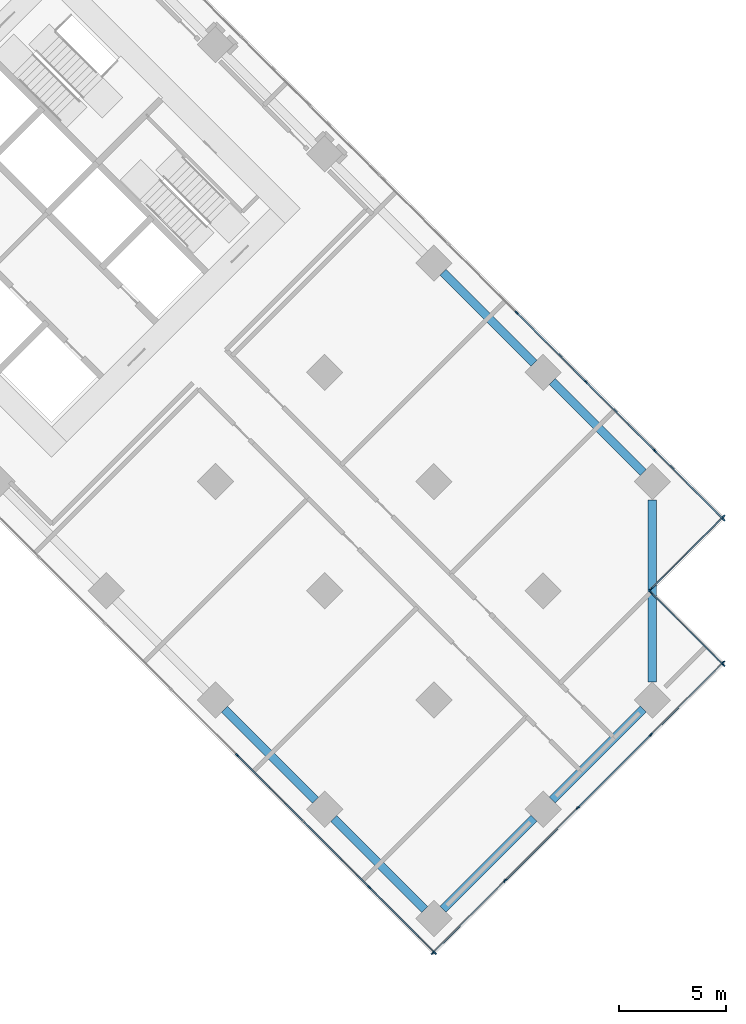
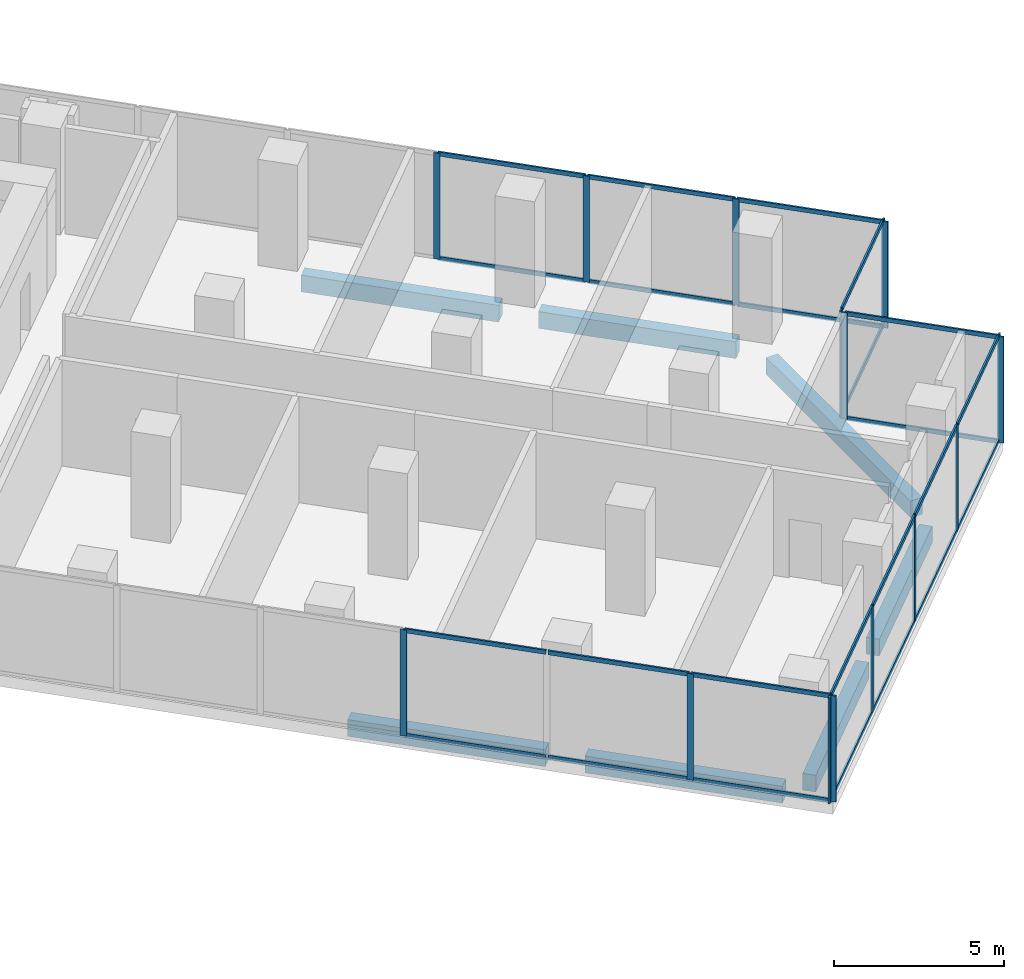
# One storey, part 11 of 27: 40 members, 7 beams, 5 elements without a shape of their own.
"""IFC4 building model written with IfcOpenShell, lengths in metres."""

from ifc_helpers import new_model, si_unit, direction, frame, origin, origin_2d, place, context, subcontext, project, spatial, rectangle, extrude, material, material_profile, profile_set, type_object, element, aggregate, save


model = new_model("IFC4")

# Units and contexts
model_context = context("Model", 3, precision=1e-05, world=origin(), true_north=direction((0.0, 1.0)))
body_context = subcontext(model_context, "Body", "Model", "MODEL_VIEW")
ifc_project = project(units=[si_unit("LENGTHUNIT", "METRE"), si_unit("AREAUNIT", "SQUARE_METRE"), si_unit("VOLUMEUNIT", "CUBIC_METRE"), si_unit("PLANEANGLEUNIT", "RADIAN"), si_unit("MASSUNIT", "GRAM", prefix="KILO")], contexts=[model_context])

# Site, building, storey
site_placement = place(None, origin())
site = spatial("IfcSite", under=ifc_project, at=site_placement, CompositionType="ELEMENT")
building_placement = place(site_placement, origin())
building = spatial("IfcBuilding", under=site, at=building_placement, Name="Windrow Commons", CompositionType="ELEMENT")
storey_placement = place(building_placement, frame((0.0, 0.0, 6.0)))
storey = spatial("IfcBuildingStorey", under=building, at=storey_placement, Name="L01", CompositionType="ELEMENT", Elevation=6.0)

# Curtain wall, members
ifc_material_1 = material(Name="Clear laminated glass in Aluminium 6063-T6 anodised frame", Category="aluminium")
curtain_wall_type = type_object("IfcCurtainWallType", Name="Curtain wall CW1 podium study hall", PredefinedType="USERDEFINED", material=ifc_material_1)
placement = place(storey_placement, origin())
curtain_wall_1 = element("IfcCurtainWall", 1, at=placement, inside=storey, type_object=curtain_wall_type, Name="Curtain wall CW1 L01 1", ObjectType="STICK", PredefinedType="USERDEFINED")
ifc_material_2 = material(Name="Aluminium 6063-T6", Category="aluminium")
ifc_material_profile_1 = material_profile(ifc_material_2, rectangle(XDim=0.06, YDim=0.2, at=origin_2d()))
ifc_profile_set_1 = profile_set([ifc_material_profile_1], Name="Aluminium 6063-T6")
member_type_1 = type_object("IfcMemberType", Name="CW1 mullion 60x200", PredefinedType="MULLION", material=ifc_profile_set_1)
member_1_placement = place(storey_placement, frame((104.6063, 14.392, 0.0), z_axis=(0.0, 0.0, 1.0), x_axis=(-0.707104177, 0.7071093854, 0.0)))
member_1 = element("IfcMember", 2, at=member_1_placement, type_object=member_type_1, Name="CW1 mullion 1", PredefinedType="MULLION", context=body_context, shape_type="SweptSolid", body=[
    extrude(rectangle(XDim=0.06, YDim=0.2, at=origin_2d()), origin(), (0.0, 0.0, 1.0), 3.8),
])
member_2_placement = place(storey_placement, frame((107.9792, 17.7649, 0.0), z_axis=(0.0, 0.0, 1.0), x_axis=(-0.707104177, 0.7071093854, 0.0)))
member_2 = element("IfcMember", 3, at=member_2_placement, type_object=member_type_1, Name="CW1 mullion 2", PredefinedType="MULLION", context=body_context, shape_type="SweptSolid", body=[
    extrude(rectangle(XDim=0.06, YDim=0.2, at=origin_2d()), origin(), (0.0, 0.0, 1.0), 3.8),
])
member_3_placement = place(storey_placement, frame((111.3733, 21.159, 0.0), z_axis=(0.0, 0.0, 1.0), x_axis=(-0.707104177, 0.7071093854, 0.0)))
member_3 = element("IfcMember", 4, at=member_3_placement, type_object=member_type_1, Name="CW1 mullion 3", PredefinedType="MULLION", context=body_context, shape_type="SweptSolid", body=[
    extrude(rectangle(XDim=0.06, YDim=0.2, at=origin_2d()), origin(), (0.0, 0.0, 1.0), 3.8),
])
member_4_placement = place(storey_placement, frame((114.7675, 24.5531, 0.0), z_axis=(0.0, 0.0, 1.0), x_axis=(-0.707104177, 0.7071093854, 0.0)))
member_4 = element("IfcMember", 5, at=member_4_placement, type_object=member_type_1, Name="CW1 mullion 4", PredefinedType="MULLION", context=body_context, shape_type="SweptSolid", body=[
    extrude(rectangle(XDim=0.06, YDim=0.2, at=origin_2d()), origin(), (0.0, 0.0, 1.0), 3.8),
])
member_5_placement = place(storey_placement, frame((118.1404, 27.926, 0.0), z_axis=(0.0, 0.0, 1.0), x_axis=(-0.707104177, 0.7071093854, 0.0)))
member_5 = element("IfcMember", 6, at=member_5_placement, type_object=member_type_1, Name="CW1 mullion 5", PredefinedType="MULLION", context=body_context, shape_type="SweptSolid", body=[
    extrude(rectangle(XDim=0.06, YDim=0.2, at=origin_2d()), origin(), (0.0, 0.0, 1.0), 3.8),
])

curtain_wall_2 = element("IfcCurtainWall", 7, at=placement, inside=storey, type_object=curtain_wall_type, Name="Curtain wall CW1 L01 2", ObjectType="STICK", PredefinedType="USERDEFINED")
member_6_placement = place(storey_placement, frame((118.1404, 27.827, 0.0), z_axis=(0.0, 0.0, 1.0), x_axis=(-0.7071067812, -0.7071067812, 0.0)))
member_6 = element("IfcMember", 8, at=member_6_placement, type_object=member_type_1, Name="CW1 mullion 1", PredefinedType="MULLION", context=body_context, shape_type="SweptSolid", body=[
    extrude(rectangle(XDim=0.06, YDim=0.2, at=origin_2d()), origin(), (0.0, 0.0, 1.0), 3.8),
])
member_7_placement = place(storey_placement, frame((114.7887, 31.1787, 0.0), z_axis=(0.0, 0.0, 1.0), x_axis=(-0.7071067812, -0.7071067812, 0.0)))
member_7 = element("IfcMember", 9, at=member_7_placement, type_object=member_type_1, Name="CW1 mullion 2", PredefinedType="MULLION", context=body_context, shape_type="SweptSolid", body=[
    extrude(rectangle(XDim=0.06, YDim=0.2, at=origin_2d()), origin(), (0.0, 0.0, 1.0), 3.8),
])

curtain_wall_3 = element("IfcCurtainWall", 10, at=placement, inside=storey, type_object=curtain_wall_type, Name="Curtain wall CW1 L01 3", ObjectType="STICK", PredefinedType="USERDEFINED")
member_8_placement = place(storey_placement, frame((114.7887, 31.3625, 0.0), z_axis=(0.0, 0.0, 1.0), x_axis=(-0.7071171977, 0.7070963646, 0.0)))
member_8 = element("IfcMember", 11, at=member_8_placement, type_object=member_type_1, Name="CW1 mullion 1", PredefinedType="MULLION", context=body_context, shape_type="SweptSolid", body=[
    extrude(rectangle(XDim=0.06, YDim=0.2, at=origin_2d()), origin(), (0.0, 0.0, 1.0), 3.8),
])
member_9_placement = place(storey_placement, frame((118.1404, 34.7143, 0.0), z_axis=(0.0, 0.0, 1.0), x_axis=(-0.7071171977, 0.7070963646, 0.0)))
member_9 = element("IfcMember", 12, at=member_9_placement, type_object=member_type_1, Name="CW1 mullion 2", PredefinedType="MULLION", context=body_context, shape_type="SweptSolid", body=[
    extrude(rectangle(XDim=0.06, YDim=0.2, at=origin_2d()), origin(), (0.0, 0.0, 1.0), 3.8),
])

curtain_wall_4 = element("IfcCurtainWall", 13, at=placement, inside=storey, type_object=curtain_wall_type, Name="Curtain wall CW1 L01 4", ObjectType="STICK", PredefinedType="USERDEFINED")
member_10_placement = place(storey_placement, frame((118.1404, 34.6153, 0.0), z_axis=(0.0, 0.0, 1.0), x_axis=(-0.7071067812, -0.7071067812, 0.0)))
member_10 = element("IfcMember", 14, at=member_10_placement, type_object=member_type_1, Name="CW1 mullion 1", PredefinedType="MULLION", context=body_context, shape_type="SweptSolid", body=[
    extrude(rectangle(XDim=0.06, YDim=0.2, at=origin_2d()), origin(), (0.0, 0.0, 1.0), 3.8),
])
member_11_placement = place(storey_placement, frame((114.9503, 37.8054, 0.0), z_axis=(0.0, 0.0, 1.0), x_axis=(-0.7071067812, -0.7071067812, 0.0)))
member_11 = element("IfcMember", 15, at=member_11_placement, type_object=member_type_1, Name="CW1 mullion 2", PredefinedType="MULLION", context=body_context, shape_type="SweptSolid", body=[
    extrude(rectangle(XDim=0.06, YDim=0.2, at=origin_2d()), origin(), (0.0, 0.0, 1.0), 3.8),
])
member_12_placement = place(storey_placement, frame((111.7391, 41.0166, 0.0), z_axis=(0.0, 0.0, 1.0), x_axis=(-0.7071067812, -0.7071067812, 0.0)))
member_12 = element("IfcMember", 16, at=member_12_placement, type_object=member_type_1, Name="CW1 mullion 3", PredefinedType="MULLION", context=body_context, shape_type="SweptSolid", body=[
    extrude(rectangle(XDim=0.06, YDim=0.2, at=origin_2d()), origin(), (0.0, 0.0, 1.0), 3.8),
])
member_13_placement = place(storey_placement, frame((108.5278, 44.2279, 0.0), z_axis=(0.0, 0.0, 1.0), x_axis=(-0.7071067812, -0.7071067812, 0.0)))
member_13 = element("IfcMember", 17, at=member_13_placement, type_object=member_type_1, Name="CW1 mullion 4", PredefinedType="MULLION", context=body_context, shape_type="SweptSolid", body=[
    extrude(rectangle(XDim=0.06, YDim=0.2, at=origin_2d()), origin(), (0.0, 0.0, 1.0), 3.8),
])

curtain_wall_5 = element("IfcCurtainWall", 18, at=placement, inside=storey, type_object=curtain_wall_type, Name="Curtain wall CW1 L01 16", ObjectType="STICK", PredefinedType="USERDEFINED")
member_14_placement = place(storey_placement, frame((95.4932, 23.6041, 0.0), z_axis=(0.0, 0.0, 1.0), x_axis=(0.7071067812, 0.7071067812, 0.0)))
member_14 = element("IfcMember", 19, at=member_14_placement, type_object=member_type_1, Name="CW1 mullion 7", PredefinedType="MULLION", context=body_context, shape_type="SweptSolid", body=[
    extrude(rectangle(XDim=0.06, YDim=0.2, at=origin_2d()), origin(), (0.0, 0.0, 1.0), 3.8),
])
member_15_placement = place(storey_placement, frame((101.6487, 17.4486, 0.0), z_axis=(0.0, 0.0, 1.0), x_axis=(0.7071067812, 0.7071067812, 0.0)))
member_15 = element("IfcMember", 20, at=member_15_placement, type_object=member_type_1, Name="CW1 mullion 9", PredefinedType="MULLION", context=body_context, shape_type="SweptSolid", body=[
    extrude(rectangle(XDim=0.06, YDim=0.2, at=origin_2d()), origin(), (0.0, 0.0, 1.0), 3.8),
])
member_16_placement = place(storey_placement, frame((104.7053, 14.392, 0.0), z_axis=(0.0, 0.0, 1.0), x_axis=(0.7071067812, 0.7071067812, 0.0)))
member_16 = element("IfcMember", 21, at=member_16_placement, type_object=member_type_1, Name="CW1 mullion 10", PredefinedType="MULLION", context=body_context, shape_type="SweptSolid", body=[
    extrude(rectangle(XDim=0.06, YDim=0.2, at=origin_2d()), origin(), (0.0, 0.0, 1.0), 3.8),
])

# Member
ifc_material_3 = material(Name="Aluminium 6063-T6", Category="aluminium")
ifc_material_profile_2 = material_profile(ifc_material_3, rectangle(XDim=0.06, YDim=0.15, at=origin_2d()))
ifc_profile_set_2 = profile_set([ifc_material_profile_2], Name="Aluminium 6063-T6")
member_type_2 = type_object("IfcMemberType", Name="CW1 transom 60x150", PredefinedType="USERDEFINED", material=ifc_profile_set_2)
member_17_placement = place(storey_placement, frame((104.6275, 14.4132, 0.03), z_axis=(0.7071067812, 0.7071067812, 0.0), x_axis=(-0.7071067812, 0.7071067812, 0.0)))
member_17 = element("IfcMember", 22, at=member_17_placement, type_object=member_type_2, Name="CW1 transom 1.1", ObjectType="TRANSOM", PredefinedType="USERDEFINED", context=body_context, shape_type="SweptSolid", body=[
    extrude(rectangle(XDim=0.06, YDim=0.15, at=origin_2d()), origin(), (0.0, 0.0, 1.0), 4.71),
])

member_18_placement = place(storey_placement, frame((104.6275, 14.4132, 3.77), z_axis=(0.7071067812, 0.7071067812, 0.0), x_axis=(-0.7071067812, 0.7071067812, 0.0)))
member_18 = element("IfcMember", 23, at=member_18_placement, type_object=member_type_2, Name="CW1 transom 1.2", ObjectType="TRANSOM", PredefinedType="USERDEFINED", context=body_context, shape_type="SweptSolid", body=[
    extrude(rectangle(XDim=0.06, YDim=0.15, at=origin_2d()), origin(), (0.0, 0.0, 1.0), 4.71),
])

member_19_placement = place(storey_placement, frame((108.0004, 17.7861, 0.03), z_axis=(0.7071067812, 0.7071067812, 0.0), x_axis=(-0.7071067812, 0.7071067812, 0.0)))
member_19 = element("IfcMember", 24, at=member_19_placement, type_object=member_type_2, Name="CW1 transom 2.1", ObjectType="TRANSOM", PredefinedType="USERDEFINED", context=body_context, shape_type="SweptSolid", body=[
    extrude(rectangle(XDim=0.06, YDim=0.15, at=origin_2d()), origin(), (0.0, 0.0, 1.0), 4.74),
])

member_20_placement = place(storey_placement, frame((108.0004, 17.7861, 3.77), z_axis=(0.7071067812, 0.7071067812, 0.0), x_axis=(-0.7071067812, 0.7071067812, 0.0)))
member_20 = element("IfcMember", 25, at=member_20_placement, type_object=member_type_2, Name="CW1 transom 2.2", ObjectType="TRANSOM", PredefinedType="USERDEFINED", context=body_context, shape_type="SweptSolid", body=[
    extrude(rectangle(XDim=0.06, YDim=0.15, at=origin_2d()), origin(), (0.0, 0.0, 1.0), 4.74),
])

member_21_placement = place(storey_placement, frame((111.3946, 21.1802, 0.03), z_axis=(0.7071067812, 0.7071067812, 0.0), x_axis=(-0.7071067812, 0.7071067812, 0.0)))
member_21 = element("IfcMember", 26, at=member_21_placement, type_object=member_type_2, Name="CW1 transom 3.1", ObjectType="TRANSOM", PredefinedType="USERDEFINED", context=body_context, shape_type="SweptSolid", body=[
    extrude(rectangle(XDim=0.06, YDim=0.15, at=origin_2d()), origin(), (0.0, 0.0, 1.0), 4.74),
])

member_22_placement = place(storey_placement, frame((111.3946, 21.1802, 3.77), z_axis=(0.7071067812, 0.7071067812, 0.0), x_axis=(-0.7071067812, 0.7071067812, 0.0)))
member_22 = element("IfcMember", 27, at=member_22_placement, type_object=member_type_2, Name="CW1 transom 3.2", ObjectType="TRANSOM", PredefinedType="USERDEFINED", context=body_context, shape_type="SweptSolid", body=[
    extrude(rectangle(XDim=0.06, YDim=0.15, at=origin_2d()), origin(), (0.0, 0.0, 1.0), 4.74),
])

member_23_placement = place(storey_placement, frame((114.7887, 24.5743, 0.03), z_axis=(0.7071067812, 0.7071067812, 0.0), x_axis=(-0.7071067812, 0.7071067812, 0.0)))
member_23 = element("IfcMember", 28, at=member_23_placement, type_object=member_type_2, Name="CW1 transom 4.1", ObjectType="TRANSOM", PredefinedType="USERDEFINED", context=body_context, shape_type="SweptSolid", body=[
    extrude(rectangle(XDim=0.06, YDim=0.15, at=origin_2d()), origin(), (0.0, 0.0, 1.0), 4.71),
])

member_24_placement = place(storey_placement, frame((114.7887, 24.5743, 3.77), z_axis=(0.7071067812, 0.7071067812, 0.0), x_axis=(-0.7071067812, 0.7071067812, 0.0)))
member_24 = element("IfcMember", 29, at=member_24_placement, type_object=member_type_2, Name="CW1 transom 4.2", ObjectType="TRANSOM", PredefinedType="USERDEFINED", context=body_context, shape_type="SweptSolid", body=[
    extrude(rectangle(XDim=0.06, YDim=0.15, at=origin_2d()), origin(), (0.0, 0.0, 1.0), 4.71),
])

aggregate(curtain_wall_1, [member_1, member_2, member_3, member_4, member_5, member_17, member_18, member_19, member_20, member_21, member_22, member_23, member_24])

member_25_placement = place(storey_placement, frame((118.1192, 27.8482, 0.03), z_axis=(-0.7071067812, 0.7071067812, 0.0), x_axis=(-0.7071067812, -0.7071067812, 0.0)))
member_25 = element("IfcMember", 30, at=member_25_placement, type_object=member_type_2, Name="CW1 transom 1.1", ObjectType="TRANSOM", PredefinedType="USERDEFINED", context=body_context, shape_type="SweptSolid", body=[
    extrude(rectangle(XDim=0.06, YDim=0.15, at=origin_2d()), origin(), (0.0, 0.0, 1.0), 4.6801),
])

member_26_placement = place(storey_placement, frame((118.1192, 27.8482, 3.77), z_axis=(-0.7071067812, 0.7071067812, 0.0), x_axis=(-0.7071067812, -0.7071067812, 0.0)))
member_26 = element("IfcMember", 31, at=member_26_placement, type_object=member_type_2, Name="CW1 transom 1.2", ObjectType="TRANSOM", PredefinedType="USERDEFINED", context=body_context, shape_type="SweptSolid", body=[
    extrude(rectangle(XDim=0.06, YDim=0.15, at=origin_2d()), origin(), (0.0, 0.0, 1.0), 4.6801),
])

aggregate(curtain_wall_2, [member_6, member_7, member_25, member_26])

member_27_placement = place(storey_placement, frame((114.8099, 31.3837, 0.03), z_axis=(0.7070960976, 0.7071174646, 0.0), x_axis=(-0.7071174646, 0.7070960976, 0.0)))
member_27 = element("IfcMember", 32, at=member_27_placement, type_object=member_type_2, Name="CW1 transom 1.1", ObjectType="TRANSOM", PredefinedType="USERDEFINED", context=body_context, shape_type="SweptSolid", body=[
    extrude(rectangle(XDim=0.06, YDim=0.15, at=origin_2d()), origin(), (0.0, 0.0, 1.0), 4.6801),
])

member_28_placement = place(storey_placement, frame((114.8099, 31.3837, 3.77), z_axis=(0.7070960976, 0.7071174646, 0.0), x_axis=(-0.7071174646, 0.7070960976, 0.0)))
member_28 = element("IfcMember", 33, at=member_28_placement, type_object=member_type_2, Name="CW1 transom 1.2", ObjectType="TRANSOM", PredefinedType="USERDEFINED", context=body_context, shape_type="SweptSolid", body=[
    extrude(rectangle(XDim=0.06, YDim=0.15, at=origin_2d()), origin(), (0.0, 0.0, 1.0), 4.6801),
])

aggregate(curtain_wall_3, [member_8, member_9, member_27, member_28])

member_29_placement = place(storey_placement, frame((118.1192, 34.6365, 0.03), z_axis=(-0.7071180134, 0.7070955488, 0.0), x_axis=(-0.7070955488, -0.7071180134, 0.0)))
member_29 = element("IfcMember", 34, at=member_29_placement, type_object=member_type_2, Name="CW1 transom 1.1", ObjectType="TRANSOM", PredefinedType="USERDEFINED", context=body_context, shape_type="SweptSolid", body=[
    extrude(rectangle(XDim=0.06, YDim=0.15, at=origin_2d()), origin(), (0.0, 0.0, 1.0), 4.4514),
])

member_30_placement = place(storey_placement, frame((118.1192, 34.6365, 3.77), z_axis=(-0.7071180134, 0.7070955488, 0.0), x_axis=(-0.7070955488, -0.7071180134, 0.0)))
member_30 = element("IfcMember", 35, at=member_30_placement, type_object=member_type_2, Name="CW1 transom 1.2", ObjectType="TRANSOM", PredefinedType="USERDEFINED", context=body_context, shape_type="SweptSolid", body=[
    extrude(rectangle(XDim=0.06, YDim=0.15, at=origin_2d()), origin(), (0.0, 0.0, 1.0), 4.4514),
])

member_31_placement = place(storey_placement, frame((114.9291, 37.8266, 0.03), z_axis=(-0.7071067812, 0.7071067812, 0.0), x_axis=(-0.7071067812, -0.7071067812, 0.0)))
member_31 = element("IfcMember", 36, at=member_31_placement, type_object=member_type_2, Name="CW1 transom 2.1", ObjectType="TRANSOM", PredefinedType="USERDEFINED", context=body_context, shape_type="SweptSolid", body=[
    extrude(rectangle(XDim=0.06, YDim=0.15, at=origin_2d()), origin(), (0.0, 0.0, 1.0), 4.4814),
])

member_32_placement = place(storey_placement, frame((114.9291, 37.8266, 3.77), z_axis=(-0.7071067812, 0.7071067812, 0.0), x_axis=(-0.7071067812, -0.7071067812, 0.0)))
member_32 = element("IfcMember", 37, at=member_32_placement, type_object=member_type_2, Name="CW1 transom 2.2", ObjectType="TRANSOM", PredefinedType="USERDEFINED", context=body_context, shape_type="SweptSolid", body=[
    extrude(rectangle(XDim=0.06, YDim=0.15, at=origin_2d()), origin(), (0.0, 0.0, 1.0), 4.4814),
])

member_33_placement = place(storey_placement, frame((111.7178, 41.0378, 0.03), z_axis=(-0.7070956239, 0.7071179382, 0.0), x_axis=(-0.7071179382, -0.7070956239, 0.0)))
member_33 = element("IfcMember", 38, at=member_33_placement, type_object=member_type_2, Name="CW1 transom 3.1", ObjectType="TRANSOM", PredefinedType="USERDEFINED", context=body_context, shape_type="SweptSolid", body=[
    extrude(rectangle(XDim=0.06, YDim=0.15, at=origin_2d()), origin(), (0.0, 0.0, 1.0), 4.4814),
])

member_34_placement = place(storey_placement, frame((111.7178, 41.0378, 3.77), z_axis=(-0.7070956239, 0.7071179382, 0.0), x_axis=(-0.7071179382, -0.7070956239, 0.0)))
member_34 = element("IfcMember", 39, at=member_34_placement, type_object=member_type_2, Name="CW1 transom 3.2", ObjectType="TRANSOM", PredefinedType="USERDEFINED", context=body_context, shape_type="SweptSolid", body=[
    extrude(rectangle(XDim=0.06, YDim=0.15, at=origin_2d()), origin(), (0.0, 0.0, 1.0), 4.4814),
])

aggregate(curtain_wall_4, [member_10, member_11, member_12, member_13, member_29, member_30, member_31, member_32, member_33, member_34])

member_35_placement = place(storey_placement, frame((95.5144, 23.5829, 0.03), z_axis=(0.707118429, -0.7070951332, 0.0), x_axis=(0.7070951332, 0.707118429, 0.0)))
member_35 = element("IfcMember", 40, at=member_35_placement, type_object=member_type_2, Name="CW1 transom 7.1", ObjectType="TRANSOM", PredefinedType="USERDEFINED", context=body_context, shape_type="SweptSolid", body=[
    extrude(rectangle(XDim=0.06, YDim=0.15, at=origin_2d()), origin(), (0.0, 0.0, 1.0), 4.2926),
])

member_36_placement = place(storey_placement, frame((95.5144, 23.5829, 3.77), z_axis=(0.707118429, -0.7070951332, 0.0), x_axis=(0.7070951332, 0.707118429, 0.0)))
member_36 = element("IfcMember", 41, at=member_36_placement, type_object=member_type_2, Name="CW1 transom 7.2", ObjectType="TRANSOM", PredefinedType="USERDEFINED", context=body_context, shape_type="SweptSolid", body=[
    extrude(rectangle(XDim=0.06, YDim=0.15, at=origin_2d()), origin(), (0.0, 0.0, 1.0), 4.2926),
])

member_37_placement = place(storey_placement, frame((98.5922, 20.5051, 0.03), z_axis=(0.7071067812, -0.7071067812, 0.0), x_axis=(0.7071067812, 0.7071067812, 0.0)))
member_37 = element("IfcMember", 42, at=member_37_placement, type_object=member_type_2, Name="CW1 transom 8.1", ObjectType="TRANSOM", PredefinedType="USERDEFINED", context=body_context, shape_type="SweptSolid", body=[
    extrude(rectangle(XDim=0.06, YDim=0.15, at=origin_2d()), origin(), (0.0, 0.0, 1.0), 4.2926),
])

member_38_placement = place(storey_placement, frame((98.5922, 20.5051, 3.77), z_axis=(0.7071067812, -0.7071067812, 0.0), x_axis=(0.7071067812, 0.7071067812, 0.0)))
member_38 = element("IfcMember", 43, at=member_38_placement, type_object=member_type_2, Name="CW1 transom 8.2", ObjectType="TRANSOM", PredefinedType="USERDEFINED", context=body_context, shape_type="SweptSolid", body=[
    extrude(rectangle(XDim=0.06, YDim=0.15, at=origin_2d()), origin(), (0.0, 0.0, 1.0), 4.2926),
])

member_39_placement = place(storey_placement, frame((101.67, 17.4274, 0.03), z_axis=(0.7070950513, -0.7071185109, 0.0), x_axis=(0.7071185109, 0.7070950513, 0.0)))
member_39 = element("IfcMember", 44, at=member_39_placement, type_object=member_type_2, Name="CW1 transom 9.1", ObjectType="TRANSOM", PredefinedType="USERDEFINED", context=body_context, shape_type="SweptSolid", body=[
    extrude(rectangle(XDim=0.06, YDim=0.15, at=origin_2d()), origin(), (0.0, 0.0, 1.0), 4.2627),
])

member_40_placement = place(storey_placement, frame((101.67, 17.4274, 3.77), z_axis=(0.7070950513, -0.7071185109, 0.0), x_axis=(0.7071185109, 0.7070950513, 0.0)))
member_40 = element("IfcMember", 45, at=member_40_placement, type_object=member_type_2, Name="CW1 transom 9.2", ObjectType="TRANSOM", PredefinedType="USERDEFINED", context=body_context, shape_type="SweptSolid", body=[
    extrude(rectangle(XDim=0.06, YDim=0.15, at=origin_2d()), origin(), (0.0, 0.0, 1.0), 4.2627),
])

aggregate(curtain_wall_5, [member_14, member_15, member_16, member_35, member_36, member_37, member_38, member_39, member_40])

# Beams
ifc_material_4 = material(Name="Concrete C60/75", Category="concrete")
ifc_material_profile_3 = material_profile(ifc_material_4, rectangle(XDim=0.4, YDim=0.6, at=origin_2d()))
ifc_profile_set_3 = profile_set([ifc_material_profile_3], Name="Concrete C60/75")
beam_type = type_object("IfcBeamType", Name="RC EDGE BEAM 400x600 C60/75", PredefinedType="SPANDREL", material=ifc_profile_set_3)
for number, where, z_axis, x_axis, name in (
    (46, (105.0801, 46.1199, -0.7), (0.7071067812, -0.7071067812, 0.0), (0.7071067812, 0.7071067812, 0.0), "Edge beam L01 022"),
    (47, (110.1713, 41.0287, -0.7), (0.7071067812, -0.7071067812, 0.0), (0.7071067812, 0.7071067812, 0.0), "Edge beam L01 023"),
):
    element("IfcBeam", number, at=place(storey_placement, frame(where, z_axis=z_axis, x_axis=x_axis)), inside=storey, type_object=beam_type, Name=name, PredefinedType="SPANDREL", context=body_context, shape_type="SweptSolid", body=[
        extrude(rectangle(XDim=0.4, YDim=0.6, at=origin_2d()), origin(), (0.0, 0.0, 1.0), 5.9999),
    ])
beam_placement = place(storey_placement, frame((114.8382, 35.5133, -0.7), z_axis=(0.0, -1.0, 0.0), x_axis=(1.0, 0.0, 0.0)))
element("IfcBeam", 48, at=beam_placement, inside=storey, type_object=beam_type, Name="Edge beam L01 024", PredefinedType="SPANDREL", context=body_context, shape_type="SweptSolid", body=[
    extrude(rectangle(XDim=0.4, YDim=0.6, at=origin_2d()), origin(), (0.0, 0.0, 1.0), 8.4853),
])
for number, where, z_axis, x_axis, name in (
    (49, (114.4139, 25.7552, -0.7), (-0.7071067812, -0.7071067812, 0.0), (0.7071067812, -0.7071067812, 0.0), "Edge beam L01 025"),
    (50, (109.3227, 20.664, -0.7), (-0.7071067812, -0.7071067812, 0.0), (0.7071067812, -0.7071067812, 0.0), "Edge beam L01 026"),
    (51, (104.2315, 16.4214, -0.7), (-0.7070984476, 0.7071151146, 0.0), (-0.7071151146, -0.7070984476, 0.0), "Edge beam L01 027"),
    (52, (99.1404, 21.5126, -0.7), (-0.7071067812, 0.7071067812, 0.0), (-0.7071067812, -0.7071067812, 0.0), "Edge beam L01 028"),
):
    element("IfcBeam", number, at=place(storey_placement, frame(where, z_axis=z_axis, x_axis=x_axis)), inside=storey, type_object=beam_type, Name=name, PredefinedType="SPANDREL", context=body_context, shape_type="SweptSolid", body=[
        extrude(rectangle(XDim=0.4, YDim=0.6, at=origin_2d()), origin(), (0.0, 0.0, 1.0), 5.9999),
    ])

save(model, "model.ifc")
